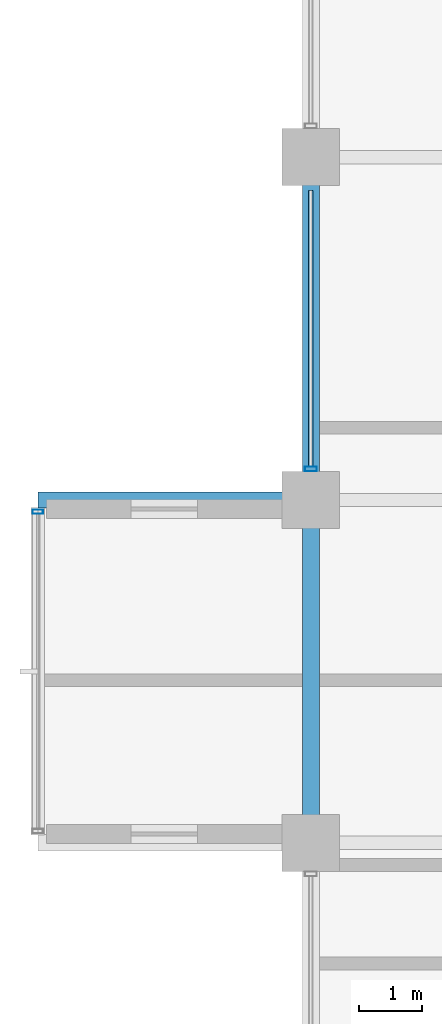
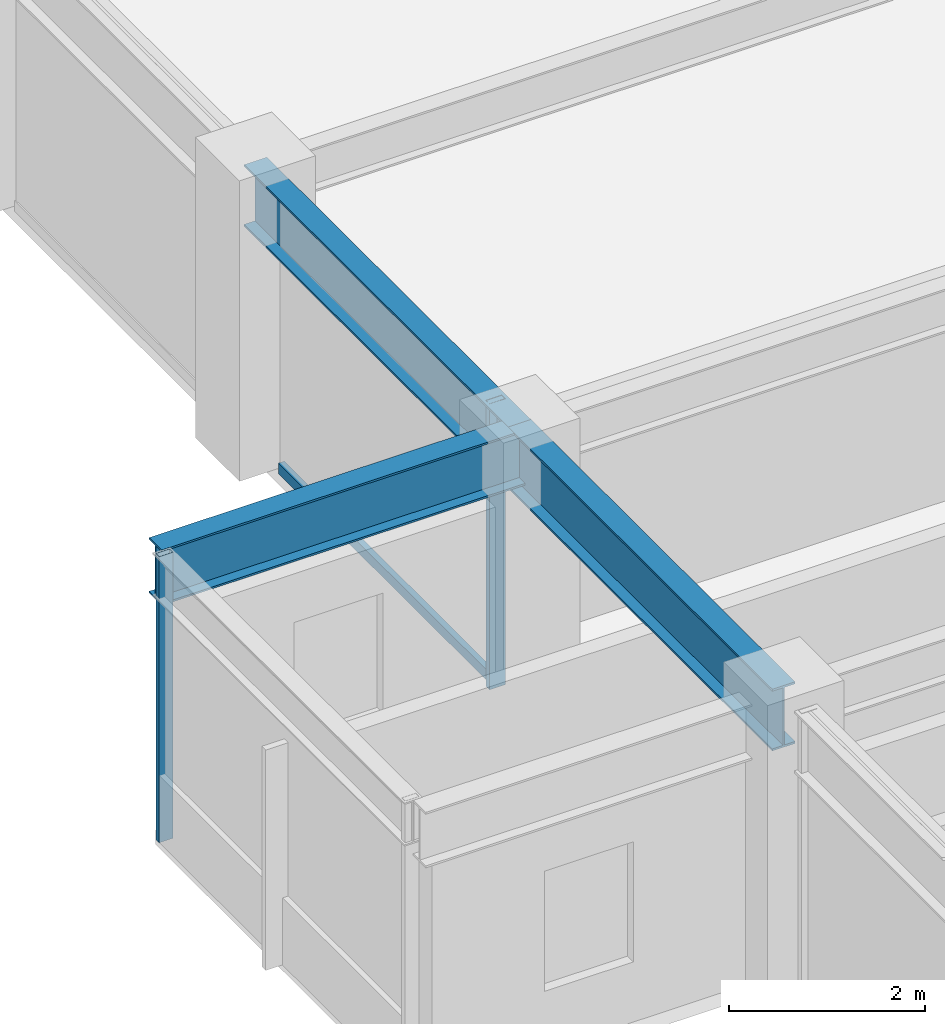
# One storey, part 7 of 28: 3 beams, 3 members, 2 elements without a shape of their own.
"""IFC4 building model written with IfcOpenShell, lengths in metres."""

from ifc_helpers import new_model, si_unit, direction, frame, origin, origin_2d, place, context, subcontext, project, spatial, hollow_rectangle, i_section, extrude, material, layer, layer_set, material_profile, profile_set, type_object, element, aggregate, save


model = new_model("IFC4")

# Units and contexts
model_context = context("Model", 3, precision=1e-05, world=origin(), true_north=direction((0.0, 1.0)))
body_context = subcontext(model_context, "Body", "Model", "MODEL_VIEW")
ifc_project = project(units=[si_unit("LENGTHUNIT", "METRE"), si_unit("AREAUNIT", "SQUARE_METRE"), si_unit("VOLUMEUNIT", "CUBIC_METRE"), si_unit("PLANEANGLEUNIT", "RADIAN"), si_unit("MASSUNIT", "GRAM", prefix="KILO")], contexts=[model_context])

# Site, building, storey
site_placement = place(None, origin())
site = spatial("IfcSite", under=ifc_project, at=site_placement, CompositionType="ELEMENT")
building_placement = place(site_placement, origin())
building = spatial("IfcBuilding", under=site, at=building_placement, Name="Surkhivell Harbour Commons", CompositionType="ELEMENT")
storey_placement = place(building_placement, frame((0.0, 0.0, 174.75)))
storey = spatial("IfcBuildingStorey", under=building, at=storey_placement, Name="L45", CompositionType="ELEMENT", Elevation=174.75)

# Beams
ifc_material_1 = material(Name="Steel S460", Category="steel")
ifc_material_profile_1 = material_profile(ifc_material_1, i_section(OverallWidth=0.256103515625, OverallDepth=0.693115234375, WebThickness=0.014404296875, FlangeThickness=0.023681640625, at=origin_2d()), Name="UB686x254x170")
ifc_profile_set_1 = profile_set([ifc_material_profile_1], Name="Steel S460")
beam_type_1 = type_object("IfcBeamType", Name="BM-CNT-686", PredefinedType="BEAM", material=ifc_profile_set_1)
beam_1_placement = place(storey_placement, frame((-27.0, 5.39990234375, 3.223388671875), z_axis=(-1.0, 0.0, 0.0), x_axis=(0.0, -1.0, 0.0)))
element("IfcBeam", 1, at=beam_1_placement, inside=storey, type_object=beam_type_1, Name="L45 Box Cantilever Outrigger (-27.0,5.4)", PredefinedType="BEAM", context=body_context, shape_type="SweptSolid", body=[
    extrude(i_section(OverallWidth=0.256103515625, OverallDepth=0.693115234375, WebThickness=0.014404296875, FlangeThickness=0.023681640625, at=origin_2d()), origin(), (0.0, 0.0, 1.0), 4.300048828125),
])
ifc_material_2 = material(Name="Steel S355", Category="steel")
ifc_material_profile_2 = material_profile(ifc_material_2, i_section(OverallWidth=0.26806640625, OverallDepth=0.77001953125, WebThickness=0.015625, FlangeThickness=0.025390625, at=origin_2d()), Name="UB762x267x197")
ifc_profile_set_2 = profile_set([ifc_material_profile_2], Name="Steel S355")
beam_type_2 = type_object("IfcBeamType", Name="BM-SPN-762", PredefinedType="SPANDREL", material=ifc_profile_set_2)
beam_2_placement = place(storey_placement, frame((-27.0, 0.0, 3.18505859375), z_axis=(0.0, 1.0, 0.0), x_axis=(-1.0, 0.0, 0.0)))
element("IfcBeam", 2, at=beam_2_placement, inside=storey, type_object=beam_type_2, Name="L45 Tube Spandrel (-27.0,0.0)", PredefinedType="SPANDREL", context=body_context, shape_type="SweptSolid", body=[
    extrude(i_section(OverallWidth=0.26806640625, OverallDepth=0.77001953125, WebThickness=0.015625, FlangeThickness=0.025390625, at=origin_2d()), origin(), (0.0, 0.0, 1.0), 5.39990234375),
])
beam_3_placement = place(storey_placement, frame((-27.0, 5.39990234375, 3.18505859375), z_axis=(0.0, 1.0, 0.0), x_axis=(-1.0, 0.0, 0.0)))
element("IfcBeam", 3, at=beam_3_placement, inside=storey, type_object=beam_type_2, Name="L45 Tube Spandrel (-27.0,5.4)", PredefinedType="SPANDREL", context=body_context, shape_type="SweptSolid", body=[
    extrude(i_section(OverallWidth=0.26806640625, OverallDepth=0.77001953125, WebThickness=0.015625, FlangeThickness=0.025390625, at=origin_2d()), origin(), (0.0, 0.0, 1.0), 5.400146484375),
])

# Curtain wall, member
ifc_material_3 = material(Name="Anodised pale-metal aluminium and insulated glazing", Category="aluminium")
ifc_layer_1 = layer(ifc_material_3, 0.1650390625)
ifc_layer_set_1 = layer_set([ifc_layer_1], Name="Anodised pale-metal aluminium and insulated glazing")
curtain_wall_type_1 = type_object("IfcCurtainWallType", Name="CW-SYS-BOX", PredefinedType="NOTDEFINED", material=ifc_layer_set_1)
curtain_wall_1_placement = place(storey_placement, origin())
curtain_wall_1 = element("IfcCurtainWall", 4, at=curtain_wall_1_placement, inside=storey, type_object=curtain_wall_type_1, Name="L45 Curtain Wall CW-L45-BOX02", PredefinedType="NOTDEFINED")
ifc_material_4 = material(Name="Champagne anodised aluminium alloy 6063-T6", Category="aluminium")
ifc_material_profile_3 = material_profile(ifc_material_4, hollow_rectangle(XDim=0.070068359375, YDim=0.1650390625, WallThickness=0.00341796875, at=origin_2d()), Name="ALU-MULL-70x165")
ifc_profile_set_3 = profile_set([ifc_material_profile_3], Name="Champagne anodised aluminium alloy 6063-T6")
member_type_1 = type_object("IfcMemberType", Name="CWM-165", PredefinedType="MULLION", material=ifc_profile_set_3)
member_1_placement = place(storey_placement, frame((-31.300048828125, 5.215087890625, 0.0), z_axis=(0.0, 0.0, 1.0), x_axis=(0.0, 1.0, 0.0)))
member_1 = element("IfcMember", 5, at=member_1_placement, type_object=member_type_1, Name="CW-BOX mullion 2", PredefinedType="MULLION", context=body_context, shape_type="SweptSolid", body=[
    extrude(hollow_rectangle(XDim=0.070068359375, YDim=0.1650390625, WallThickness=0.00341796875, at=origin_2d()), origin(), (0.0, 0.0, 1.0), 3.570068359375),
])
aggregate(curtain_wall_1, [member_1])

# Curtain wall, members
ifc_layer_2 = layer(ifc_material_3, 0.18994140625)
ifc_layer_set_2 = layer_set([ifc_layer_2], Name="Anodised pale-metal aluminium and insulated glazing")
curtain_wall_type_2 = type_object("IfcCurtainWallType", Name="CW-SYS-Z3", PredefinedType="NOTDEFINED", material=ifc_layer_set_2)
curtain_wall_2_placement = place(storey_placement, origin())
curtain_wall_2 = element("IfcCurtainWall", 6, at=curtain_wall_2_placement, inside=storey, type_object=curtain_wall_type_2, Name="L45 Curtain Wall CW-L45-E12R2", PredefinedType="NOTDEFINED")
ifc_material_5 = material(Name="Anodised pale-metal aluminium alloy 6063-T6", Category="aluminium")
ifc_material_profile_4 = material_profile(ifc_material_5, hollow_rectangle(XDim=0.074951171875, YDim=0.18994140625, WallThickness=0.00390625, at=origin_2d()), Name="ALU-MULL-75x190")
ifc_profile_set_4 = profile_set([ifc_material_profile_4], Name="Anodised pale-metal aluminium alloy 6063-T6")
member_type_2 = type_object("IfcMemberType", Name="CWM-190", PredefinedType="MULLION", material=ifc_profile_set_4)
member_2_placement = place(storey_placement, frame((-27.0, 5.889404296875, 0.0), z_axis=(0.0, 0.0, 1.0), x_axis=(0.0, 1.0, 0.0)))
member_2 = element("IfcMember", 7, at=member_2_placement, type_object=member_type_2, Name="CW-Z3 mullion 1", PredefinedType="MULLION", context=body_context, shape_type="SweptSolid", body=[
    extrude(hollow_rectangle(XDim=0.074951171875, YDim=0.18994140625, WallThickness=0.00390625, at=origin_2d()), origin(), (0.0, 0.0, 1.0), 3.570068359375),
])
ifc_material_profile_5 = material_profile(ifc_material_4, hollow_rectangle(XDim=0.070068359375, YDim=0.1298828125, WallThickness=0.00341796875, at=origin_2d()), Name="ALU-TRAN-70x130")
ifc_profile_set_5 = profile_set([ifc_material_profile_5], Name="Champagne anodised aluminium alloy 6063-T6")
member_type_3 = type_object("IfcMemberType", Name="CWT-130", PredefinedType="USERDEFINED", material=ifc_profile_set_5)
member_3_placement = place(storey_placement, frame((-27.0, 5.927001953125, 0.06494140625), z_axis=(0.0, 1.0, 0.0), x_axis=(-1.0, 0.0, 0.0)))
member_3 = element("IfcMember", 8, at=member_3_placement, type_object=member_type_3, Name="CW-Z3 transom 1.1", ObjectType="TRANSOM", PredefinedType="USERDEFINED", context=body_context, shape_type="SweptSolid", body=[
    extrude(hollow_rectangle(XDim=0.070068359375, YDim=0.1298828125, WallThickness=0.00341796875, at=origin_2d()), origin(), (0.0, 0.0, 1.0), 4.345947265625),
])
aggregate(curtain_wall_2, [member_2, member_3])

save(model, "model.ifc")
